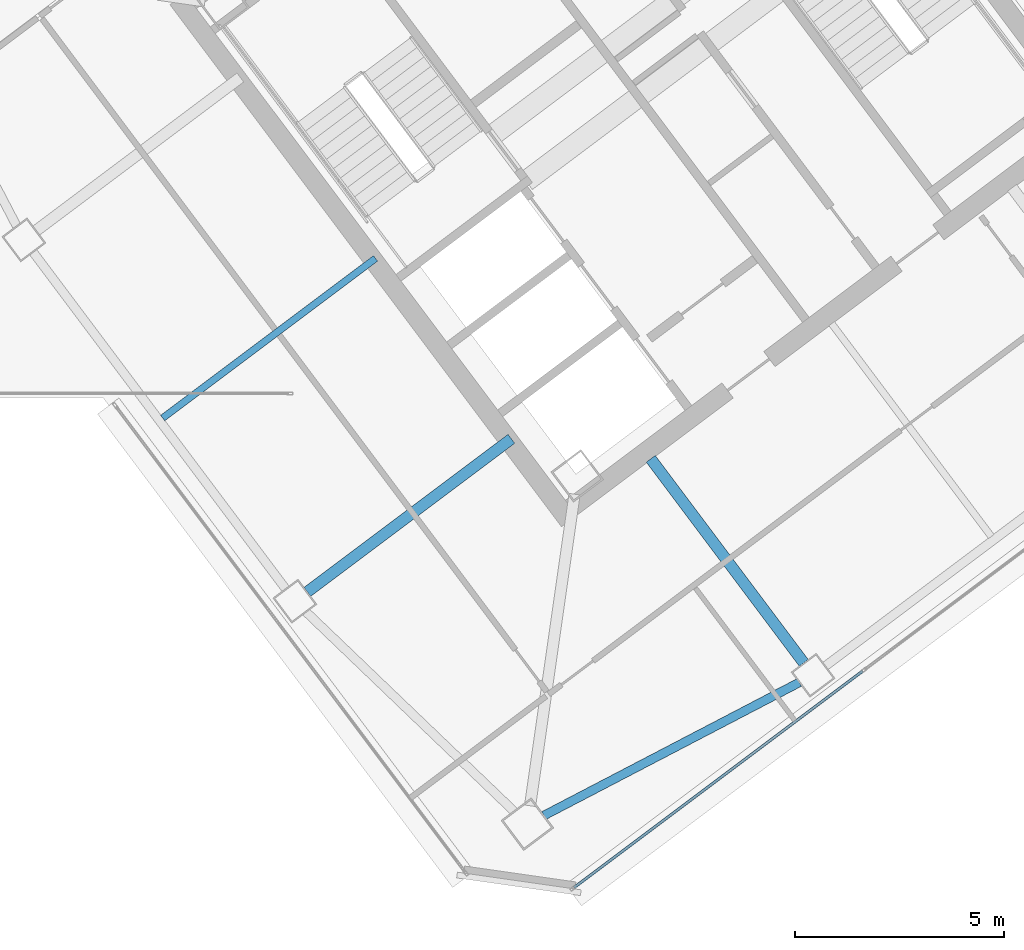
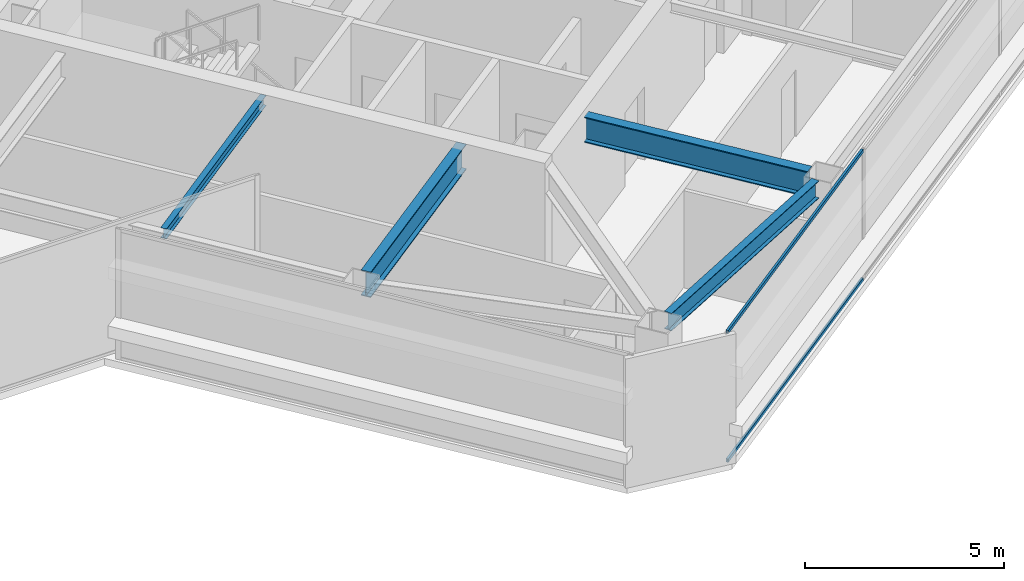
# One storey, part 29 of 51: 4 beams, 2 members, 1 element without a shape of its own.
"""IFC4 building model written with IfcOpenShell, lengths in metres."""

from ifc_helpers import new_model, si_unit, direction, frame, origin, origin_2d, place, context, subcontext, project, spatial, hollow_rectangle, i_section, extrude, material, material_profile, profile_set, type_object, element, aggregate, save


model = new_model("IFC4")

# Units and contexts
model_context = context("Model", 3, precision=1e-05, world=origin(), true_north=direction((0.0, 1.0)))
body_context = subcontext(model_context, "Body", "Model", "MODEL_VIEW")
ifc_project = project(units=[si_unit("LENGTHUNIT", "METRE"), si_unit("AREAUNIT", "SQUARE_METRE"), si_unit("VOLUMEUNIT", "CUBIC_METRE"), si_unit("PLANEANGLEUNIT", "RADIAN"), si_unit("MASSUNIT", "GRAM", prefix="KILO")], contexts=[model_context])

# Site, building, storey
site_placement = place(None, origin())
site = spatial("IfcSite", under=ifc_project, at=site_placement, CompositionType="ELEMENT")
building_placement = place(site_placement, origin())
building = spatial("IfcBuilding", under=site, at=building_placement, Name="Tashvorn Skyway Center", CompositionType="ELEMENT")
storey_placement = place(building_placement, frame((0.0, 0.0, 251.39990234375)))
storey = spatial("IfcBuildingStorey", under=building, at=storey_placement, Name="L68", CompositionType="ELEMENT", Elevation=251.39990234375)

# Beams
ifc_material_1 = material(Name="Steel ASTM A992 Grade 50", Category="steel")
ifc_material_profile_1 = material_profile(ifc_material_1, i_section(OverallWidth=0.26708984375, OverallDepth=0.779052734375, WebThickness=0.0166015625, FlangeThickness=0.030029296875, at=origin_2d()), Name="W30X148")
ifc_profile_set_1 = profile_set([ifc_material_profile_1], Name="Steel ASTM A992 Grade 50")
beam_type_1 = type_object("IfcBeamType", Name="BM-BEAM-W30X148", PredefinedType="BEAM", material=ifc_profile_set_1)
for number, where, z_axis, x_axis, name in (
    (1, (118.008056640625, 17.656005859375, 3.390625), (-0.600025614447, 0.799980788524, 0.0), (-0.799980788524, -0.600025614447, 0.0), "Tower 2 L68 Primary Floor Girder FC-S1"),
    (2, (106.135986328125, 19.35205078125, 3.390625), (0.800014407953, 0.599980788915, 0.0), (-0.599980788915, 0.800014407953, 0.0), "Tower 2 L68 Primary Floor Girder FC-W2"),
):
    element("IfcBeam", number, at=place(storey_placement, frame(where, z_axis=z_axis, x_axis=x_axis)), inside=storey, type_object=beam_type_1, Name=name, PredefinedType="BEAM", context=body_context, shape_type="SweptSolid", body=[
        extrude(i_section(OverallWidth=0.26708984375, OverallDepth=0.779052734375, WebThickness=0.0166015625, FlangeThickness=0.030029296875, at=origin_2d()), origin(), (0.0, 0.0, 1.0), 6.10009765625),
    ])
ifc_material_profile_2 = material_profile(ifc_material_1, i_section(OverallWidth=0.1650390625, OverallDepth=0.31005859375, WebThickness=0.005859375, FlangeThickness=0.009765625, at=origin_2d()), Name="W12X26")
ifc_profile_set_2 = profile_set([ifc_material_profile_2], Name="Steel ASTM A992 Grade 50")
beam_type_2 = type_object("IfcBeamType", Name="BM-JOIST-W12X26", PredefinedType="JOIST", material=ifc_profile_set_2)
beam_1_placement = place(storey_placement, frame((107.76806640625, 27.325927734375, 3.625), z_axis=(-0.800013813639, -0.599981581373, 0.0), x_axis=(0.599981581373, -0.800013813639, 0.0)))
element("IfcBeam", 3, at=beam_1_placement, inside=storey, type_object=beam_type_2, Name="Tower 2 L68 Secondary Composite Joist JW", PredefinedType="JOIST", context=body_context, shape_type="SweptSolid", body=[
    extrude(i_section(OverallWidth=0.1650390625, OverallDepth=0.31005859375, WebThickness=0.005859375, FlangeThickness=0.009765625, at=origin_2d()), origin(), (0.0, 0.0, 1.0), 6.362548828125),
])
ifc_material_profile_3 = material_profile(ifc_material_1, i_section(OverallWidth=0.2109375, OverallDepth=0.5390625, WebThickness=0.01171875, FlangeThickness=0.018798828125, at=origin_2d()), Name="W21X73")
ifc_profile_set_3 = profile_set([ifc_material_profile_3], Name="Steel ASTM A992 Grade 50")
beam_type_3 = type_object("IfcBeamType", Name="BM-SPANDREL-W21X73", PredefinedType="SPANDREL", material=ifc_profile_set_3)
beam_2_placement = place(storey_placement, frame((111.794677734375, 14.005615234375, 3.510498046875), z_axis=(0.886763659136, 0.462223120187, 0.0), x_axis=(-0.462223120187, 0.886763659136, 0.0)))
element("IfcBeam", 4, at=beam_2_placement, inside=storey, type_object=beam_type_3, Name="Tower 2 L68 Spandrel Beam 01", PredefinedType="SPANDREL", context=body_context, shape_type="SweptSolid", body=[
    extrude(i_section(OverallWidth=0.2109375, OverallDepth=0.5390625, WebThickness=0.01171875, FlangeThickness=0.018798828125, at=origin_2d()), origin(), (0.0, 0.0, 1.0), 6.886962890625),
])

# Curtain wall, members
ifc_material_2 = material(Name="Thermally broken bronze-anodized aluminium 6063-T6", Category="aluminium")
curtain_wall_type = type_object("IfcCurtainWallType", Name="CW-CW-SKY", PredefinedType="NOTDEFINED", material=ifc_material_2)
curtain_wall_placement = place(storey_placement, origin())
curtain_wall = element("IfcCurtainWall", 5, at=curtain_wall_placement, inside=storey, type_object=curtain_wall_type, Name="Tower 2 L68 South Unitised Curtain Wall", PredefinedType="NOTDEFINED")
ifc_material_profile_4 = material_profile(ifc_material_2, hollow_rectangle(XDim=0.06494140625, YDim=0.10498046875, WallThickness=0.00390625, at=origin_2d()), Name="ALU-TRAN-65x105")
ifc_profile_set_4 = profile_set([ifc_material_profile_4], Name="Thermally broken bronze-anodized aluminium 6063-T6")
member_type = type_object("IfcMemberType", Name="CWT-CW-SKY", PredefinedType="USERDEFINED", material=ifc_profile_set_4)
member_1_placement = place(storey_placement, frame((119.4140625, 17.46044921875, 0.03271484375), z_axis=(-0.800006795504, -0.599990939221, 0.0), x_axis=(0.599990939221, -0.800006795504, 0.0)))
member_1 = element("IfcMember", 6, at=member_1_placement, type_object=member_type, Name="CW-SKY transom 3.1", ObjectType="TRANSOM", PredefinedType="USERDEFINED", context=body_context, shape_type="SweptSolid", body=[
    extrude(hollow_rectangle(XDim=0.06494140625, YDim=0.10498046875, WallThickness=0.00390625, at=origin_2d()), origin(), (0.0, 0.0, 1.0), 8.622314453125),
])
member_2_placement = place(storey_placement, frame((119.4140625, 17.46044921875, 3.967529296875), z_axis=(-0.800006795504, -0.599990939221, 0.0), x_axis=(0.599990939221, -0.800006795504, 0.0)))
member_2 = element("IfcMember", 7, at=member_2_placement, type_object=member_type, Name="CW-SKY transom 3.2", ObjectType="TRANSOM", PredefinedType="USERDEFINED", context=body_context, shape_type="SweptSolid", body=[
    extrude(hollow_rectangle(XDim=0.06494140625, YDim=0.10498046875, WallThickness=0.00390625, at=origin_2d()), origin(), (0.0, 0.0, 1.0), 8.622314453125),
])
aggregate(curtain_wall, [member_1, member_2])

save(model, "model.ifc")
